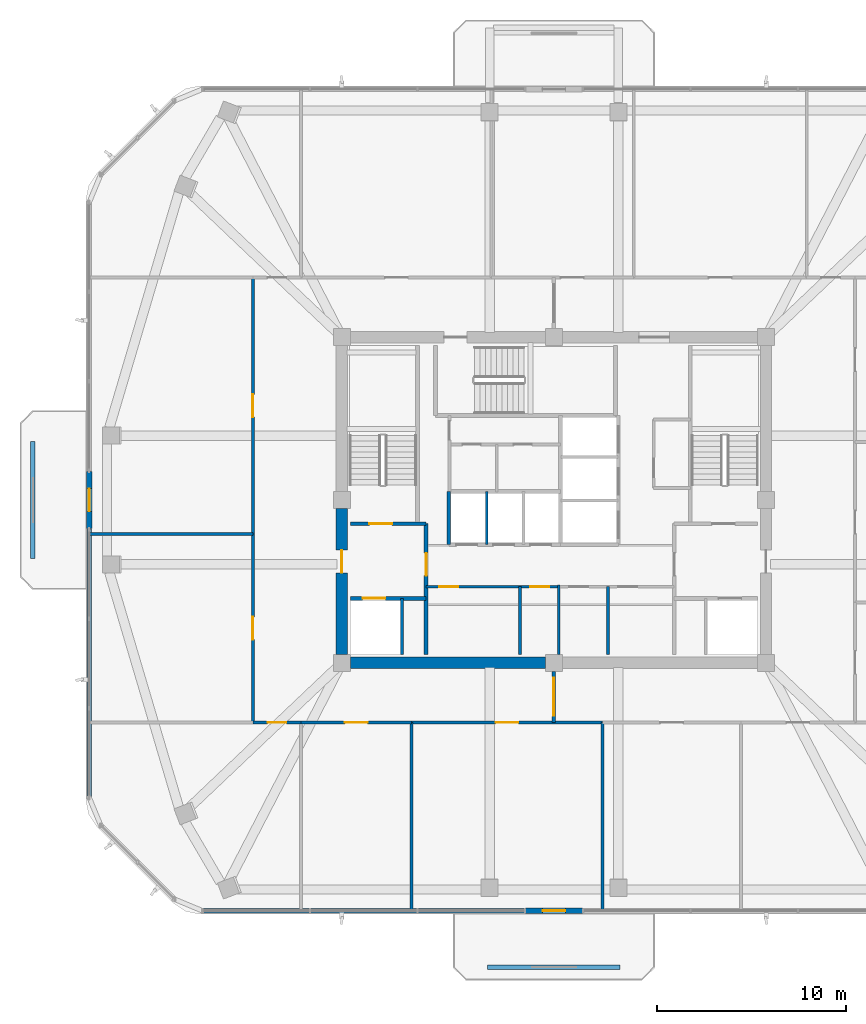
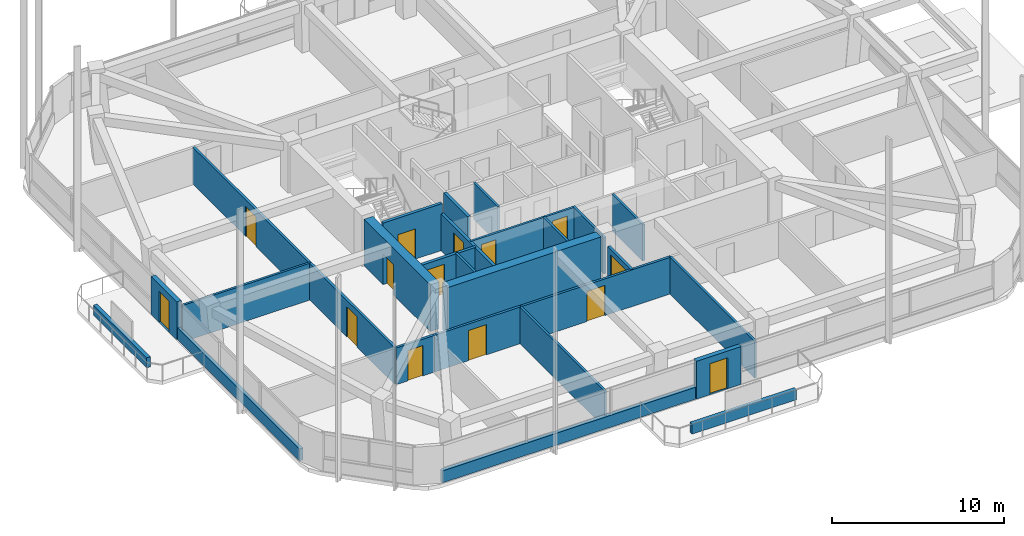
# One storey, part 7 of 14: 27 walls, 14 doors, 14 openings.
"""IFC4 building model written with IfcOpenShell, lengths in metres."""

from ifc_helpers import new_model, si_unit, derived_unit, direction, frame, frame_2d, origin, place, context, subcontext, project, spatial, rectangle, extrude, material, layer, layer_set, type_object, element, fill, save


model = new_model("IFC4")

# Units and contexts
model_context = context("Model", 3, precision=1e-05, world=origin(), true_north=direction((0.0, 1.0)))
body_context = subcontext(model_context, "Body", "Model", "MODEL_VIEW")
ifc_project = project(units=[si_unit("LENGTHUNIT", "METRE"), si_unit("AREAUNIT", "SQUARE_METRE"), si_unit("VOLUMEUNIT", "CUBIC_METRE"), si_unit("PLANEANGLEUNIT", "RADIAN"), si_unit("MASSUNIT", "GRAM", prefix="KILO"), derived_unit("THERMALTRANSMITTANCEUNIT", [(si_unit("POWERUNIT", "WATT"), 1), (si_unit("LENGTHUNIT", "METRE"), -2), (si_unit("THERMODYNAMICTEMPERATUREUNIT", "KELVIN"), -1)])], contexts=[model_context])

# Site, building, storey
site_placement = place(None, origin())
site = spatial("IfcSite", under=ifc_project, at=site_placement, CompositionType="ELEMENT")
building_placement = place(site_placement, origin())
building = spatial("IfcBuilding", under=site, at=building_placement, Name="Koralith Skygarden Medical Center", CompositionType="ELEMENT")
storey_placement = place(building_placement, frame((0.0, 0.0, 192.780029296875)))
storey = spatial("IfcBuildingStorey", under=building, at=storey_placement, Name="L49", CompositionType="ELEMENT", Elevation=192.780029296875)

# Wall, openings, doors
ifc_material_1 = material(Name="Gypsum Board Partition")
ifc_layer_1 = layer(ifc_material_1, 0.14990234375)
ifc_layer_set_1 = layer_set([ifc_layer_1], Name="Gypsum Board Partition")
wall_type_1 = type_object("IfcWallType", Name="Clinical Acoustic Partition 150", PredefinedType="PARTITIONING", material=ifc_layer_set_1)
wall_1_placement = place(storey_placement, frame((30.25, 21.320068359375, 0.0), z_axis=(0.0, 0.0, 1.0), x_axis=(1.0, 0.0, 0.0)))
wall_1 = element("IfcWall", 1, at=wall_1_placement, inside=storey, type_object=wall_type_1, Name="L49 Clinical Acoustic Partition 150 W-CORE-L49-FREED-LR-N", PredefinedType="PARTITIONING", context=body_context, shape_type="SweptSolid", body=[
    extrude(rectangle(XDim=7.0, YDim=0.14990234375, at=frame_2d((3.5, 0.0))), origin(), (0.0, 0.0, 1.0), 2.60986328125),
])
opening_1_placement = place(wall_1_placement, frame((0.699951171875, 0.0, 0.0)))
opening_1 = element("IfcOpeningElement", 2, at=opening_1_placement, cuts=wall_1, Name="Opening D-SUP", PredefinedType="OPENING", context=body_context, shape_type="SweptSolid", body=[
    extrude(rectangle(XDim=1.0, YDim=2.14990234375, at=frame_2d((0.5, 1.074951171875))), frame((0.0, 0.0849609375, 0.0), z_axis=(0.0, -1.0, 0.0), x_axis=(1.0, 0.0, 0.0)), (0.0, 0.0, 1.0), 0.169921875),
])
opening_2_placement = place(wall_1_placement, frame((5.5, 0.0, 0.0)))
opening_2 = element("IfcOpeningElement", 3, at=opening_2_placement, cuts=wall_1, Name="Opening D-SUP", PredefinedType="OPENING", context=body_context, shape_type="SweptSolid", body=[
    extrude(rectangle(XDim=1.0, YDim=2.14990234375, at=frame_2d((0.5, 1.074951171875))), frame((0.0, 0.0849609375, 0.0), z_axis=(0.0, -1.0, 0.0), x_axis=(1.0, 0.0, 0.0)), (0.0, 0.0, 1.0), 0.169921875),
])
ifc_material_2 = material(Name="Aluminium 6063-T6", Category="aluminium")
door_type_1 = type_object("IfcDoorType", Name="Clinical Support Door D-SUP 1000", OperationType="NOTDEFINED", PredefinedType="DOOR", material=ifc_material_2)
door_1_placement = place(opening_1_placement, frame((1.0, 0.0, 0.0), z_axis=(0.0, 0.0, 1.0), x_axis=(-1.0, 0.0, 0.0)))
door_1 = element("IfcDoor", 4, at=door_1_placement, inside=storey, type_object=door_type_1, Name="L49 Medication Preparation Door", OperationType="SINGLE_SWING_LEFT", OverallHeight=2.14990234375, OverallWidth=1.0, PredefinedType="DOOR", context=body_context, shape_type="SweptSolid", body=[
    extrude(rectangle(XDim=1.0, YDim=2.14990234375, at=frame_2d((0.5, 1.074951171875))), frame((0.0, 0.02490234375, 0.0), z_axis=(0.0, -1.0, 0.0), x_axis=(1.0, 0.0, 0.0)), (0.0, 0.0, 1.0), 0.050048828125),
])
fill(opening_1, door_1)
door_2_placement = place(opening_2_placement, frame((1.0, 0.0, 0.0), z_axis=(0.0, 0.0, 1.0), x_axis=(-1.0, 0.0, 0.0)))
door_2 = element("IfcDoor", 5, at=door_2_placement, inside=storey, type_object=door_type_1, Name="L49 Telemetry Room Door", OperationType="SINGLE_SWING_RIGHT", OverallHeight=2.14990234375, OverallWidth=1.0, PredefinedType="DOOR", context=body_context, shape_type="SweptSolid", body=[
    extrude(rectangle(XDim=1.0, YDim=2.14990234375, at=frame_2d((0.5, 1.074951171875))), frame((0.0, 0.02490234375, 0.0), z_axis=(0.0, -1.0, 0.0), x_axis=(1.0, 0.0, 0.0)), (0.0, 0.0, 1.0), 0.050048828125),
])
fill(opening_2, door_2)

# Walls
for number, where, z_axis, x_axis, name in (
    (6, (35.199951171875, 17.75, 0.0), (0.0, 0.0, 1.0), (0.0, 1.0, 0.0), "L49 Clinical Acoustic Partition 150 W-CORE-L49-FREED-LR-M"),
    (7, (39.85009765625, 17.75, 0.0), (0.0, 0.0, 1.0), (0.0, 1.0, 0.0), "L49 Clinical Acoustic Partition 150 W-CORE-L49-FREED-MR-M"),
):
    element("IfcWall", number, at=place(storey_placement, frame(where, z_axis=z_axis, x_axis=x_axis)), inside=storey, type_object=wall_type_1, Name=name, PredefinedType="PARTITIONING", context=body_context, shape_type="SweptSolid", body=[
        extrude(rectangle(XDim=3.570068359375, YDim=0.14990234375, at=frame_2d((1.78515625, 0.0))), origin(), (0.0, 0.0, 1.0), 2.60986328125),
    ])
for number, where, z_axis, x_axis, name in (
    (8, (29.47900390625, 14.14990234375, 0.0), (0.0, 0.0, 1.0), (0.0, -1.0, 0.0), "L49 Clinical Acoustic Partition 150 W-PART-L49-S-02"),
    (9, (39.56689453125, 14.14990234375, 0.0), (0.0, 0.0, 1.0), (0.0, -1.0, 0.0), "L49 Clinical Acoustic Partition 150 W-PART-L49-S-03"),
):
    element("IfcWall", number, at=place(storey_placement, frame(where, z_axis=z_axis, x_axis=x_axis)), inside=storey, type_object=wall_type_1, Name=name, PredefinedType="PARTITIONING", context=body_context, shape_type="SweptSolid", body=[
        extrude(rectangle(XDim=9.9248046875, YDim=0.14990234375, at=frame_2d((4.96240234375, 0.0))), origin(), (0.0, 0.0, 1.0), 2.60986328125),
    ])
wall_2_placement = place(storey_placement, frame((21.10009765625, 24.10009765625, 0.0), z_axis=(0.0, 0.0, 1.0), x_axis=(-1.0, 0.0, 0.0)))
element("IfcWall", 10, at=wall_2_placement, inside=storey, type_object=wall_type_1, Name="L49 Clinical Acoustic Partition 150 W-PART-L49-W-01", PredefinedType="PARTITIONING", context=body_context, shape_type="SweptSolid", body=[
    extrude(rectangle(XDim=8.6240234375, YDim=0.14990234375, at=frame_2d((4.31201171875, 0.0))), origin(), (0.0, 0.0, 1.0), 2.60986328125),
])

# Wall, opening, door
ifc_layer_2 = layer(ifc_material_1, 0.1650390625)
ifc_layer_set_2 = layer_set([ifc_layer_2], Name="Gypsum Board Partition")
wall_type_2 = type_object("IfcWallType", Name="Clinical Corridor Partition 165", PredefinedType="PARTITIONING", material=ifc_layer_set_2)
wall_3_placement = place(storey_placement, frame((21.10009765625, 14.14990234375, 0.0), z_axis=(0.0, 0.0, 1.0), x_axis=(1.0, 0.0, 0.0)))
wall_3 = element("IfcWall", 11, at=wall_3_placement, inside=storey, type_object=wall_type_2, Name="L49 Clinical Corridor Partition 165 W-CORR-L49-S-01", PredefinedType="PARTITIONING", context=body_context, shape_type="SweptSolid", body=[
    extrude(rectangle(XDim=2.5498046875, YDim=0.1650390625, at=frame_2d((1.27490234375, 0.0))), origin(), (0.0, 0.0, 1.0), 2.60986328125),
])
opening_3_placement = place(wall_3_placement, frame((0.77490234375, 0.0, 0.0)))
opening_3 = element("IfcOpeningElement", 12, at=opening_3_placement, cuts=wall_3, Name="Opening D-SUP", PredefinedType="OPENING", context=body_context, shape_type="SweptSolid", body=[
    extrude(rectangle(XDim=1.0, YDim=2.14990234375, at=frame_2d((0.5, 1.074951171875))), frame((0.0, 0.092529296875, 0.0), z_axis=(0.0, -1.0, 0.0), x_axis=(1.0, 0.0, 0.0)), (0.0, 0.0, 1.0), 0.18505859375),
])
door_3_placement = place(opening_3_placement, frame((1.0, 0.0, 0.0), z_axis=(0.0, 0.0, 1.0), x_axis=(-1.0, 0.0, 0.0)))
door_3 = element("IfcDoor", 13, at=door_3_placement, inside=storey, type_object=door_type_1, Name="L49 Bariatric Nutrition Teaching Pantry 06 Door", OperationType="SINGLE_SWING_LEFT", OverallHeight=2.14990234375, OverallWidth=1.0, PredefinedType="DOOR", context=body_context, shape_type="SweptSolid", body=[
    extrude(rectangle(XDim=1.0, YDim=2.14990234375, at=frame_2d((0.5, 1.074951171875))), frame((0.0, 0.02490234375, 0.0), z_axis=(0.0, -1.0, 0.0), x_axis=(1.0, 0.0, 0.0)), (0.0, 0.0, 1.0), 0.050048828125),
])
fill(opening_3, door_3)

wall_4_placement = place(storey_placement, frame((23.64990234375, 14.14990234375, 0.0), z_axis=(0.0, 0.0, 1.0), x_axis=(1.0, 0.0, 0.0)))
wall_4 = element("IfcWall", 14, at=wall_4_placement, inside=storey, type_object=wall_type_2, Name="L49 Clinical Corridor Partition 165 W-CORR-L49-S-02", PredefinedType="PARTITIONING", context=body_context, shape_type="SweptSolid", body=[
    extrude(rectangle(XDim=5.8291015625, YDim=0.1650390625, at=frame_2d((2.91455078125, 0.0))), origin(), (0.0, 0.0, 1.0), 2.60986328125),
])
opening_4_placement = place(wall_4_placement, frame((2.31494140625, 0.0, 0.0)))
opening_4 = element("IfcOpeningElement", 15, at=opening_4_placement, cuts=wall_4, Name="Opening D-CLN", PredefinedType="OPENING", context=body_context, shape_type="SweptSolid", body=[
    extrude(rectangle(XDim=1.199951171875, YDim=2.14990234375, at=frame_2d((0.60009765625, 1.074951171875))), frame((0.0, 0.092529296875, 0.0), z_axis=(0.0, -1.0, 0.0), x_axis=(1.0, 0.0, 0.0)), (0.0, 0.0, 1.0), 0.18505859375),
])
door_type_2 = type_object("IfcDoorType", Name="Clinical Corridor Door D-CLN 1200", OperationType="NOTDEFINED", PredefinedType="DOOR", material=ifc_material_2)
door_4_placement = place(opening_4_placement, frame((1.199951171875, 0.0, 0.0), z_axis=(0.0, 0.0, 1.0), x_axis=(-1.0, 0.0, 0.0)))
door_4 = element("IfcDoor", 16, at=door_4_placement, inside=storey, type_object=door_type_2, Name="L49 Clinical Dietetics Pantry 07 Door", OperationType="SINGLE_SWING_RIGHT", OverallHeight=2.14990234375, OverallWidth=1.199951171875, PredefinedType="DOOR", context=body_context, shape_type="SweptSolid", body=[
    extrude(rectangle(XDim=1.199951171875, YDim=2.14990234375, at=frame_2d((0.60009765625, 1.074951171875))), frame((0.0, 0.02490234375, 0.0), z_axis=(0.0, -1.0, 0.0), x_axis=(1.0, 0.0, 0.0)), (0.0, 0.0, 1.0), 0.050048828125),
])
fill(opening_4, door_4)

wall_5_placement = place(storey_placement, frame((29.47900390625, 14.14990234375, 0.0), z_axis=(0.0, 0.0, 1.0), x_axis=(1.0, 0.0, 0.0)))
wall_5 = element("IfcWall", 17, at=wall_5_placement, inside=storey, type_object=wall_type_2, Name="L49 Clinical Corridor Partition 165 W-CORR-L49-S-03", PredefinedType="PARTITIONING", context=body_context, shape_type="SweptSolid", body=[
    extrude(rectangle(XDim=10.087890625, YDim=0.1650390625, at=frame_2d((5.0439453125, 0.0))), origin(), (0.0, 0.0, 1.0), 2.60986328125),
])
opening_5_placement = place(wall_5_placement, frame((4.444091796875, 0.0, 0.0)))
opening_5 = element("IfcOpeningElement", 18, at=opening_5_placement, cuts=wall_5, Name="Opening D-CLN", PredefinedType="OPENING", context=body_context, shape_type="SweptSolid", body=[
    extrude(rectangle(XDim=1.199951171875, YDim=2.14990234375, at=frame_2d((0.60009765625, 1.074951171875))), frame((0.0, 0.092529296875, 0.0), z_axis=(0.0, -1.0, 0.0), x_axis=(1.0, 0.0, 0.0)), (0.0, 0.0, 1.0), 0.18505859375),
])
door_5_placement = place(opening_5_placement, frame((1.199951171875, 0.0, 0.0), z_axis=(0.0, 0.0, 1.0), x_axis=(-1.0, 0.0, 0.0)))
door_5 = element("IfcDoor", 19, at=door_5_placement, inside=storey, type_object=door_type_2, Name="L49 Patient and Family Sky-Garden Day Lounge 08 Door", OperationType="SINGLE_SWING_LEFT", OverallHeight=2.14990234375, OverallWidth=1.199951171875, PredefinedType="DOOR", context=body_context, shape_type="SweptSolid", body=[
    extrude(rectangle(XDim=1.199951171875, YDim=2.14990234375, at=frame_2d((0.60009765625, 1.074951171875))), frame((0.0, 0.02490234375, 0.0), z_axis=(0.0, -1.0, 0.0), x_axis=(1.0, 0.0, 0.0)), (0.0, 0.0, 1.0), 0.050048828125),
])
fill(opening_5, door_5)

wall_6_placement = place(storey_placement, frame((21.10009765625, 14.14990234375, 0.0), z_axis=(0.0, 0.0, 1.0), x_axis=(0.0, 1.0, 0.0)))
wall_6 = element("IfcWall", 20, at=wall_6_placement, inside=storey, type_object=wall_type_2, Name="L49 Clinical Corridor Partition 165 W-CORR-L49-W-01", PredefinedType="PARTITIONING", context=body_context, shape_type="SweptSolid", body=[
    extrude(rectangle(XDim=9.9501953125, YDim=0.1650390625, at=frame_2d((4.97509765625, 0.0))), origin(), (0.0, 0.0, 1.0), 2.60986328125),
])
opening_6_placement = place(wall_6_placement, frame((4.375, 0.0, 0.0)))
opening_6 = element("IfcOpeningElement", 21, at=opening_6_placement, cuts=wall_6, Name="Opening D-CLN", PredefinedType="OPENING", context=body_context, shape_type="SweptSolid", body=[
    extrude(rectangle(XDim=1.199951171875, YDim=2.14990234375, at=frame_2d((0.60009765625, 1.074951171875))), frame((0.0, 0.092529296875, 0.0), z_axis=(0.0, -1.0, 0.0), x_axis=(1.0, 0.0, 0.0)), (0.0, 0.0, 1.0), 0.18505859375),
])
door_6_placement = place(opening_6_placement, frame((1.199951171875, 0.0, 0.0), z_axis=(0.0, 0.0, 1.0), x_axis=(-1.0, 0.0, 0.0)))
door_6 = element("IfcDoor", 22, at=door_6_placement, inside=storey, type_object=door_type_2, Name="L49 Bariatric Nutrition Teaching Pantry 11 Door", OperationType="SINGLE_SWING_RIGHT", OverallHeight=2.14990234375, OverallWidth=1.199951171875, PredefinedType="DOOR", context=body_context, shape_type="SweptSolid", body=[
    extrude(rectangle(XDim=1.199951171875, YDim=2.14990234375, at=frame_2d((0.60009765625, 1.074951171875))), frame((0.0, 0.02490234375, 0.0), z_axis=(0.0, -1.0, 0.0), x_axis=(1.0, 0.0, 0.0)), (0.0, 0.0, 1.0), 0.050048828125),
])
fill(opening_6, door_6)

wall_7_placement = place(storey_placement, frame((21.10009765625, 24.10009765625, 0.0), z_axis=(0.0, 0.0, 1.0), x_axis=(0.0, 1.0, 0.0)))
wall_7 = element("IfcWall", 23, at=wall_7_placement, inside=storey, type_object=wall_type_2, Name="L49 Clinical Corridor Partition 165 W-CORR-L49-W-02", PredefinedType="PARTITIONING", context=body_context, shape_type="SweptSolid", body=[
    extrude(rectangle(XDim=13.5498046875, YDim=0.1650390625, at=frame_2d((6.77490234375, 0.0))), origin(), (0.0, 0.0, 1.0), 2.60986328125),
])
opening_7_placement = place(wall_7_placement, frame((6.175048828125, 0.0, 0.0)))
opening_7 = element("IfcOpeningElement", 24, at=opening_7_placement, cuts=wall_7, Name="Opening D-CLN", PredefinedType="OPENING", context=body_context, shape_type="SweptSolid", body=[
    extrude(rectangle(XDim=1.199951171875, YDim=2.14990234375, at=frame_2d((0.60009765625, 1.074951171875))), frame((0.0, 0.092529296875, 0.0), z_axis=(0.0, -1.0, 0.0), x_axis=(1.0, 0.0, 0.0)), (0.0, 0.0, 1.0), 0.18505859375),
])
door_7_placement = place(opening_7_placement, frame((1.199951171875, 0.0, 0.0), z_axis=(0.0, 0.0, 1.0), x_axis=(-1.0, 0.0, 0.0)))
door_7 = element("IfcDoor", 25, at=door_7_placement, inside=storey, type_object=door_type_2, Name="L49 Patient and Family Sky-Garden Day Lounge 12 Door", OperationType="SINGLE_SWING_LEFT", OverallHeight=2.14990234375, OverallWidth=1.199951171875, PredefinedType="DOOR", context=body_context, shape_type="SweptSolid", body=[
    extrude(rectangle(XDim=1.199951171875, YDim=2.14990234375, at=frame_2d((0.60009765625, 1.074951171875))), frame((0.0, 0.02490234375, 0.0), z_axis=(0.0, -1.0, 0.0), x_axis=(1.0, 0.0, 0.0)), (0.0, 0.0, 1.0), 0.050048828125),
])
fill(opening_7, door_7)

ifc_layer_3 = layer(ifc_material_1, 0.199951171875)
ifc_layer_set_3 = layer_set([ifc_layer_3], Name="Gypsum Board Partition")
wall_type_3 = type_object("IfcWallType", Name="Fire Shaft Wall 200", PredefinedType="SOLIDWALL", material=ifc_layer_set_3)
wall_8_placement = place(storey_placement, frame((26.25, 20.699951171875, 0.0), z_axis=(0.0, 0.0, 1.0), x_axis=(1.0, 0.0, 0.0)))
wall_8 = element("IfcWall", 26, at=wall_8_placement, inside=storey, type_object=wall_type_3, Name="L49 Fire Shaft Wall 200 W-CORE-L49-FF1-N", PredefinedType="SOLIDWALL", context=body_context, shape_type="SweptSolid", body=[
    extrude(rectangle(XDim=4.0, YDim=0.199951171875, at=frame_2d((2.0, 0.0))), origin(), (0.0, 0.0, 1.0), 2.60986328125),
])
opening_8_placement = place(wall_8_placement, frame((0.64990234375, 0.0, 0.0)))
opening_8 = element("IfcOpeningElement", 27, at=opening_8_placement, cuts=wall_8, Name="Opening LD-FF", PredefinedType="OPENING", context=body_context, shape_type="SweptSolid", body=[
    extrude(rectangle(XDim=1.199951171875, YDim=2.14990234375, at=frame_2d((0.60009765625, 1.074951171875))), frame((0.0, 0.10986328125, 0.0), z_axis=(0.0, -1.0, 0.0), x_axis=(1.0, 0.0, 0.0)), (0.0, 0.0, 1.0), 0.219970703125),
])
ifc_material_3 = material(Name="Steel ASTM A500 Grade C", Category="steel")
door_type_3 = type_object("IfcDoorType", Name="Fire Lift Sliding Landing Door LD-FF 1200", OperationType="NOTDEFINED", PredefinedType="DOOR", material=ifc_material_3)
door_8_placement = place(opening_8_placement, origin())
door_8 = element("IfcDoor", 28, at=door_8_placement, inside=storey, type_object=door_type_3, Name="L49 Fire Service Elevator FF1 Landing Door", OperationType="SLIDING_TO_LEFT", OverallHeight=2.14990234375, OverallWidth=1.199951171875, PredefinedType="DOOR", context=body_context, shape_type="SweptSolid", body=[
    extrude(rectangle(XDim=1.199951171875, YDim=2.14990234375, at=frame_2d((0.60009765625, 1.074951171875))), frame((0.0, 0.02490234375, 0.0), z_axis=(0.0, -1.0, 0.0), x_axis=(1.0, 0.0, 0.0)), (0.0, 0.0, 1.0), 0.050048828125),
])
fill(opening_8, door_8)

wall_9_placement = place(storey_placement, frame((30.25, 17.75, 0.0), z_axis=(0.0, 0.0, 1.0), x_axis=(0.0, 1.0, 0.0)))
wall_9 = element("IfcWall", 29, at=wall_9_placement, inside=storey, type_object=wall_type_3, Name="L49 Fire Shaft Wall 200 W-CORE-L49-FSAEW-E", PredefinedType="SOLIDWALL", context=body_context, shape_type="SweptSolid", body=[
    extrude(rectangle(XDim=6.89990234375, YDim=0.199951171875, at=frame_2d((3.449951171875, 0.0))), origin(), (0.0, 0.0, 1.0), 2.60986328125),
])
opening_9_placement = place(wall_9_placement, frame((4.14990234375, 0.0, 0.0)))
opening_9 = element("IfcOpeningElement", 30, at=opening_9_placement, cuts=wall_9, Name="Opening D-ST60", PredefinedType="OPENING", context=body_context, shape_type="SweptSolid", body=[
    extrude(rectangle(XDim=1.199951171875, YDim=2.14990234375, at=frame_2d((0.60009765625, 1.074951171875))), frame((0.0, 0.10986328125, 0.0), z_axis=(0.0, -1.0, 0.0), x_axis=(1.0, 0.0, 0.0)), (0.0, 0.0, 1.0), 0.219970703125),
])
door_type_4 = type_object("IfcDoorType", Name="Smokeproof Stair Fire Door FD60S 1200", OperationType="NOTDEFINED", PredefinedType="DOOR", material=ifc_material_3)
door_9_placement = place(opening_9_placement, origin())
door_9 = element("IfcDoor", 31, at=door_9_placement, inside=storey, type_object=door_type_4, Name="L49 West Firefighting Lobby Inner Fire Door", OperationType="SINGLE_SWING_LEFT", OverallHeight=2.14990234375, OverallWidth=1.199951171875, PredefinedType="DOOR", context=body_context, shape_type="SweptSolid", body=[
    extrude(rectangle(XDim=1.199951171875, YDim=2.14990234375, at=frame_2d((0.60009765625, 1.074951171875))), frame((0.0, 0.02490234375, 0.0), z_axis=(0.0, -1.0, 0.0), x_axis=(1.0, 0.0, 0.0)), (0.0, 0.0, 1.0), 0.050048828125),
])
fill(opening_9, door_9)

# Wall
wall_10_placement = place(storey_placement, frame((31.449951171875, 23.5400390625, 0.0), z_axis=(0.0, 0.0, 1.0), x_axis=(0.0, 1.0, 0.0)))
element("IfcWall", 32, at=wall_10_placement, inside=storey, type_object=wall_type_3, Name="L49 Fire Shaft Wall 200 W-CORE-L49-PH-W", PredefinedType="SOLIDWALL", context=body_context, shape_type="SweptSolid", body=[
    extrude(rectangle(XDim=2.81005859375, YDim=0.199951171875, at=frame_2d((1.405029296875, 0.0))), origin(), (0.0, 0.0, 1.0), 2.60986328125),
])

# Wall, opening, door
ifc_layer_4 = layer(ifc_material_1, 0.179931640625)
ifc_layer_set_4 = layer_set([ifc_layer_4], Name="Gypsum Board Partition")
wall_type_4 = type_object("IfcWallType", Name="Group I-2 Smoke Barrier Wall 180", PredefinedType="PARTITIONING", material=ifc_layer_set_4)
wall_11_placement = place(storey_placement, frame((37.0, 14.14990234375, 0.0), z_axis=(0.0, 0.0, 1.0), x_axis=(0.0, 1.0, 0.0)))
wall_11 = element("IfcWall", 33, at=wall_11_placement, inside=storey, type_object=wall_type_4, Name="L49 Group I-2 Smoke Barrier Wall 180 W-SMK-L49-S", PredefinedType="PARTITIONING", context=body_context, shape_type="SweptSolid", body=[
    extrude(rectangle(XDim=2.7001953125, YDim=0.179931640625, at=frame_2d((1.35009765625, 0.0))), origin(), (0.0, 0.0, 1.0), 2.60986328125),
])
opening_10_placement = place(wall_11_placement, frame((0.35009765625, 0.0, 0.0)))
opening_10 = element("IfcOpeningElement", 34, at=opening_10_placement, cuts=wall_11, Name="Opening D-SMK", PredefinedType="OPENING", context=body_context, shape_type="SweptSolid", body=[
    extrude(rectangle(XDim=2.0, YDim=2.199951171875, at=frame_2d((1.0, 1.10009765625))), frame((0.0, 0.099853515625, 0.0), z_axis=(0.0, -1.0, 0.0), x_axis=(1.0, 0.0, 0.0)), (0.0, 0.0, 1.0), 0.199951171875),
])
door_type_5 = type_object("IfcDoorType", Name="Cross-Corridor Double Smoke Door FD60S 2000", OperationType="NOTDEFINED", PredefinedType="DOOR", material=ifc_material_3)
door_10_placement = place(opening_10_placement, frame((2.0, 0.0, 0.0), z_axis=(0.0, 0.0, 1.0), x_axis=(-1.0, 0.0, 0.0)))
door_10 = element("IfcDoor", 35, at=door_10_placement, inside=storey, type_object=door_type_5, Name="L49 S Smoke Compartment Cross-Corridor Door", OperationType="DOUBLE_DOOR_SINGLE_SWING", OverallHeight=2.199951171875, OverallWidth=2.0, PredefinedType="DOOR", context=body_context, shape_type="SweptSolid", body=[
    extrude(rectangle(XDim=2.0, YDim=2.199951171875, at=frame_2d((1.0, 1.10009765625))), frame((0.0, 0.02490234375, 0.0), z_axis=(0.0, -1.0, 0.0), x_axis=(1.0, 0.0, 0.0)), (0.0, 0.0, 1.0), 0.050048828125),
])
fill(opening_10, door_10)

# Walls
ifc_material_4 = material(Name="Warm Oolitic Limestone Cladding", Category="masonry")
ifc_layer_5 = layer(ifc_material_4, 0.239990234375)
ifc_layer_set_5 = layer_set([ifc_layer_5], Name="Warm Oolitic Limestone Cladding")
wall_type_5 = type_object("IfcWallType", Name="Limestone Spandrel Sill Backup Wall 240", PredefinedType="SOLIDWALL", material=ifc_layer_set_5)
wall_12_placement = place(storey_placement, frame((18.431884765625, 4.205078125, 0.0), z_axis=(0.0, 0.0, 1.0), x_axis=(1.0, 0.0, 0.0)))
element("IfcWall", 36, at=wall_12_placement, inside=storey, type_object=wall_type_5, Name="L49 Sill Spandrel S-L", PredefinedType="SOLIDWALL", context=body_context, shape_type="SweptSolid", body=[
    extrude(rectangle(XDim=17.028076171875, YDim=0.239990234375, at=frame_2d((8.51416015625, 0.0))), origin(), (0.0, 0.0, 1.0), 0.849853515625),
])
wall_13_placement = place(storey_placement, frame((12.4560546875, 24.360107421875, 0.0), z_axis=(0.0, 0.0, 1.0), x_axis=(0.0, -1.0, 0.0)))
element("IfcWall", 37, at=wall_13_placement, inside=storey, type_object=wall_type_5, Name="L49 Sill Spandrel W-R", PredefinedType="SOLIDWALL", context=body_context, shape_type="SweptSolid", body=[
    extrude(rectangle(XDim=14.17919921875, YDim=0.239990234375, at=frame_2d((7.089599609375, 0.0))), origin(), (0.0, 0.0, 1.0), 0.849853515625),
])

# Wall, opening, door
ifc_layer_6 = layer(ifc_material_4, 0.300048828125)
ifc_layer_set_6 = layer_set([ifc_layer_6], Name="Warm Oolitic Limestone Cladding")
wall_type_6 = type_object("IfcWallType", Name="Oolitic Limestone Insulated Facade Wall 300", PredefinedType="SOLIDWALL", material=ifc_layer_set_6)
wall_14_placement = place(storey_placement, frame((35.5, 4.205078125, 0.0), z_axis=(0.0, 0.0, 1.0), x_axis=(1.0, 0.0, 0.0)))
wall_14 = element("IfcWall", 38, at=wall_14_placement, inside=storey, type_object=wall_type_6, Name="L49 Terrace Portal Wall S", PredefinedType="SOLIDWALL", context=body_context, shape_type="SweptSolid", body=[
    extrude(rectangle(XDim=3.0, YDim=0.300048828125, at=frame_2d((1.5, 0.0))), origin(), (0.0, 0.0, 1.0), 2.68994140625),
])
opening_11_placement = place(wall_14_placement, frame((0.89990234375, 0.0, 0.0)))
opening_11 = element("IfcOpeningElement", 39, at=opening_11_placement, cuts=wall_14, Name="Opening D-BAL", PredefinedType="OPENING", context=body_context, shape_type="SweptSolid", body=[
    extrude(rectangle(XDim=1.199951171875, YDim=2.199951171875, at=frame_2d((0.60009765625, 1.10009765625))), frame((0.0, 0.159912109375, 0.0), z_axis=(0.0, -1.0, 0.0), x_axis=(1.0, 0.0, 0.0)), (0.0, 0.0, 1.0), 0.320068359375),
])
door_type_6 = type_object("IfcDoorType", Name="Planted Balcony Glazed Terrace Door D-BAL 1200", OperationType="NOTDEFINED", PredefinedType="DOOR", material=ifc_material_2)
door_11_placement = place(opening_11_placement, origin())
door_11 = element("IfcDoor", 40, at=door_11_placement, inside=storey, type_object=door_type_6, Name="L49 S Outdoor Terrace Access Door", OperationType="SINGLE_SWING_RIGHT", OverallHeight=2.199951171875, OverallWidth=1.199951171875, PredefinedType="DOOR", context=body_context, shape_type="SweptSolid", body=[
    extrude(rectangle(XDim=1.199951171875, YDim=2.199951171875, at=frame_2d((0.60009765625, 1.10009765625))), frame((0.0, 0.02490234375, 0.0), z_axis=(0.0, -1.0, 0.0), x_axis=(1.0, 0.0, 0.0)), (0.0, 0.0, 1.0), 0.050048828125),
])
fill(opening_11, door_11)

wall_15_placement = place(storey_placement, frame((12.4560546875, 27.39990234375, 0.0), z_axis=(0.0, 0.0, 1.0), x_axis=(0.0, -1.0, 0.0)))
wall_15 = element("IfcWall", 41, at=wall_15_placement, inside=storey, type_object=wall_type_6, Name="L49 Terrace Portal Wall W", PredefinedType="SOLIDWALL", context=body_context, shape_type="SweptSolid", body=[
    extrude(rectangle(XDim=3.0, YDim=0.300048828125, at=frame_2d((1.5, 0.0))), origin(), (0.0, 0.0, 1.0), 2.68994140625),
])
opening_12_placement = place(wall_15_placement, frame((0.89990234375, 0.0, 0.0)))
opening_12 = element("IfcOpeningElement", 42, at=opening_12_placement, cuts=wall_15, Name="Opening D-BAL", PredefinedType="OPENING", context=body_context, shape_type="SweptSolid", body=[
    extrude(rectangle(XDim=1.199951171875, YDim=2.199951171875, at=frame_2d((0.60009765625, 1.10009765625))), frame((0.0, 0.159912109375, 0.0), z_axis=(0.0, -1.0, 0.0), x_axis=(1.0, 0.0, 0.0)), (0.0, 0.0, 1.0), 0.320068359375),
])
door_12_placement = place(opening_12_placement, origin())
door_12 = element("IfcDoor", 43, at=door_12_placement, inside=storey, type_object=door_type_6, Name="L49 W Outdoor Terrace Access Door", OperationType="SINGLE_SWING_RIGHT", OverallHeight=2.199951171875, OverallWidth=1.199951171875, PredefinedType="DOOR", context=body_context, shape_type="SweptSolid", body=[
    extrude(rectangle(XDim=1.199951171875, YDim=2.199951171875, at=frame_2d((0.60009765625, 1.10009765625))), frame((0.0, 0.02490234375, 0.0), z_axis=(0.0, -1.0, 0.0), x_axis=(1.0, 0.0, 0.0)), (0.0, 0.0, 1.0), 0.050048828125),
])
fill(opening_12, door_12)

# Walls
ifc_layer_7 = layer(ifc_material_1, 0.14990234375)
ifc_layer_set_7 = layer_set([ifc_layer_7], Name="Gypsum Board Partition")
wall_type_7 = type_object("IfcWallType", Name="Shaft Partition Wall 150", PredefinedType="PARTITIONING", material=ifc_layer_set_7)
wall_16_placement = place(storey_placement, frame((28.969970703125, 17.75, 0.0), z_axis=(0.0, 0.0, 1.0), x_axis=(0.0, 1.0, 0.0)))
element("IfcWall", 44, at=wall_16_placement, inside=storey, type_object=wall_type_7, Name="L49 Shaft Partition Wall 150 W-CORE-L49-RSRW-DIV", PredefinedType="PARTITIONING", context=body_context, shape_type="SweptSolid", body=[
    extrude(rectangle(XDim=2.949951171875, YDim=0.14990234375, at=frame_2d((1.47509765625, 0.0))), origin(), (0.0, 0.0, 1.0), 2.60986328125),
])
wall_17_placement = place(storey_placement, frame((37.25, 17.75, 0.0), z_axis=(0.0, 0.0, 1.0), x_axis=(0.0, 1.0, 0.0)))
element("IfcWall", 45, at=wall_17_placement, inside=storey, type_object=wall_type_7, Name="L49 Shaft Partition Wall 150 W-CORE-L49-PL-PM-SEP", PredefinedType="PARTITIONING", context=body_context, shape_type="SweptSolid", body=[
    extrude(rectangle(XDim=3.64990234375, YDim=0.14990234375, at=frame_2d((1.824951171875, 0.0))), origin(), (0.0, 0.0, 1.0), 2.60986328125),
])
wall_18_placement = place(storey_placement, frame((33.449951171875, 23.5400390625, 0.0), z_axis=(0.0, 0.0, 1.0), x_axis=(0.0, 1.0, 0.0)))
element("IfcWall", 46, at=wall_18_placement, inside=storey, type_object=wall_type_7, Name="L49 Shaft Partition Wall 150 W-CORE-L49-PH-D1", PredefinedType="PARTITIONING", context=body_context, shape_type="SweptSolid", body=[
    extrude(rectangle(XDim=2.81005859375, YDim=0.14990234375, at=frame_2d((1.405029296875, 0.0))), origin(), (0.0, 0.0, 1.0), 2.60986328125),
])
ifc_material_5 = material(Name="Precast concrete C40/50", Category="concrete")
ifc_layer_8 = layer(ifc_material_5, 0.25)
ifc_layer_set_8 = layer_set([ifc_layer_8], Name="Precast concrete C40/50")
wall_type_8 = type_object("IfcWallType", Name="Structural Concrete Balcony Planter Kerb 250", PredefinedType="PARAPET", material=ifc_layer_set_8)
wall_19_placement = place(storey_placement, frame((33.5, 1.22509765625, 0.0), z_axis=(0.0, 0.0, 1.0), x_axis=(1.0, 0.0, 0.0)))
element("IfcWall", 47, at=wall_19_placement, inside=storey, type_object=wall_type_8, Name="L49 S Structural Tree PLANTER Box", PredefinedType="PARAPET", context=body_context, shape_type="SweptSolid", body=[
    extrude(rectangle(XDim=7.0, YDim=0.25, at=frame_2d((3.5, 0.0))), origin(), (0.0, 0.0, 1.0), 0.719970703125),
])
wall_20_placement = place(storey_placement, frame((9.47607421875, 22.800048828125, 0.0), z_axis=(0.0, 0.0, 1.0), x_axis=(0.0, 1.0, 0.0)))
element("IfcWall", 48, at=wall_20_placement, inside=storey, type_object=wall_type_8, Name="L49 W Structural Tree PLANTER Box", PredefinedType="PARAPET", context=body_context, shape_type="SweptSolid", body=[
    extrude(rectangle(XDim=6.199951171875, YDim=0.25, at=frame_2d((3.10009765625, 0.0))), origin(), (0.0, 0.0, 1.0), 0.719970703125),
])

# Wall, opening, door
ifc_material_6 = material(Name="Concrete C45/55", Category="concrete")
ifc_layer_9 = layer(ifc_material_6, 0.199951171875)
ifc_layer_set_9 = layer_set([ifc_layer_9], Name="Concrete C45/55")
wall_type_9 = type_object("IfcWallType", Name="Structural Stair Shaft Wall 200", PredefinedType="SHEAR", material=ifc_layer_set_9)
wall_21_placement = place(storey_placement, frame((26.25, 24.64990234375, 0.0), z_axis=(0.0, 0.0, 1.0), x_axis=(1.0, 0.0, 0.0)))
wall_21 = element("IfcWall", 49, at=wall_21_placement, inside=storey, type_object=wall_type_9, Name="L49 Structural Stair Shaft Wall 200 W-CORE-L49-ST1-S", PredefinedType="SHEAR", context=body_context, shape_type="SweptSolid", body=[
    extrude(rectangle(XDim=4.0, YDim=0.199951171875, at=frame_2d((2.0, 0.0))), origin(), (0.0, 0.0, 1.0), 3.320068359375),
])
opening_13_placement = place(wall_21_placement, frame((1.0, 0.0, 0.0)))
opening_13 = element("IfcOpeningElement", 50, at=opening_13_placement, cuts=wall_21, Name="Opening D-ST60", PredefinedType="OPENING", context=body_context, shape_type="SweptSolid", body=[
    extrude(rectangle(XDim=1.199951171875, YDim=2.14990234375, at=frame_2d((0.60009765625, 1.074951171875))), frame((0.0, 0.10986328125, 0.0), z_axis=(0.0, -1.0, 0.0), x_axis=(1.0, 0.0, 0.0)), (0.0, 0.0, 1.0), 0.219970703125),
])
door_13_placement = place(opening_13_placement, origin())
door_13 = element("IfcDoor", 51, at=door_13_placement, inside=storey, type_object=door_type_4, Name="L49 Exit Stair ST1 Fire Door", OperationType="SINGLE_SWING_LEFT", OverallHeight=2.14990234375, OverallWidth=1.199951171875, PredefinedType="DOOR", context=body_context, shape_type="SweptSolid", body=[
    extrude(rectangle(XDim=1.199951171875, YDim=2.14990234375, at=frame_2d((0.60009765625, 1.074951171875))), frame((0.0, 0.02490234375, 0.0), z_axis=(0.0, -1.0, 0.0), x_axis=(1.0, 0.0, 0.0)), (0.0, 0.0, 1.0), 0.050048828125),
])
fill(opening_13, door_13)

# Wall
ifc_material_7 = material(Name="Concrete C55/67", Category="concrete")
ifc_layer_10 = layer(ifc_material_7, 0.60009765625)
ifc_layer_set_10 = layer_set([ifc_layer_10], Name="Concrete C55/67")
wall_type_10 = type_object("IfcWallType", Name="Upper Core Shear Wall 600", PredefinedType="SHEAR", material=ifc_layer_set_10)
wall_22_placement = place(storey_placement, frame((26.2451171875, 17.300048828125, 0.0), z_axis=(0.0, 0.0, 1.0), x_axis=(1.0, 0.0, 0.0)))
element("IfcWall", 52, at=wall_22_placement, inside=storey, type_object=wall_type_10, Name="L49 Core Shear Wall Segment 1", PredefinedType="SHEAR", context=body_context, shape_type="SweptSolid", body=[
    extrude(rectangle(XDim=10.309814453125, YDim=0.60009765625, at=frame_2d((5.15478515625, 0.0))), origin(), (0.0, 0.0, 1.0), 3.320068359375),
])

# Wall, opening, door
wall_23_placement = place(storey_placement, frame((25.800048828125, 25.455078125, 0.0), z_axis=(0.0, 0.0, 1.0), x_axis=(0.0, -1.0, 0.0)))
wall_23 = element("IfcWall", 53, at=wall_23_placement, inside=storey, type_object=wall_type_10, Name="L49 Core Shear Wall Segment 8", PredefinedType="SHEAR", context=body_context, shape_type="SweptSolid", body=[
    extrude(rectangle(XDim=7.7099609375, YDim=0.60009765625, at=frame_2d((3.85498046875, 0.0))), origin(), (0.0, 0.0, 1.0), 3.320068359375),
])
opening_14_placement = place(wall_23_placement, frame((2.205078125, 0.0, 0.0)))
opening_14 = element("IfcOpeningElement", 54, at=opening_14_placement, cuts=wall_23, Name="Opening D-ST60", PredefinedType="OPENING", context=body_context, shape_type="SweptSolid", body=[
    extrude(rectangle(XDim=1.199951171875, YDim=2.14990234375, at=frame_2d((0.60009765625, 1.074951171875))), frame((0.0, 0.31005859375, 0.0), z_axis=(0.0, -1.0, 0.0), x_axis=(1.0, 0.0, 0.0)), (0.0, 0.0, 1.0), 0.6201171875),
])
door_14_placement = place(opening_14_placement, frame((1.199951171875, 0.0, 0.0), z_axis=(0.0, 0.0, 1.0), x_axis=(-1.0, 0.0, 0.0)))
door_14 = element("IfcDoor", 55, at=door_14_placement, inside=storey, type_object=door_type_4, Name="L49 West Corridor to Firefighting Lobby Door", OperationType="SINGLE_SWING_LEFT", OverallHeight=2.14990234375, OverallWidth=1.199951171875, PredefinedType="DOOR", context=body_context, shape_type="SweptSolid", body=[
    extrude(rectangle(XDim=1.199951171875, YDim=2.14990234375, at=frame_2d((0.60009765625, 1.074951171875))), frame((0.0, 0.02490234375, 0.0), z_axis=(0.0, -1.0, 0.0), x_axis=(1.0, 0.0, 0.0)), (0.0, 0.0, 1.0), 0.050048828125),
])
fill(opening_14, door_14)

save(model, "model.ifc")
